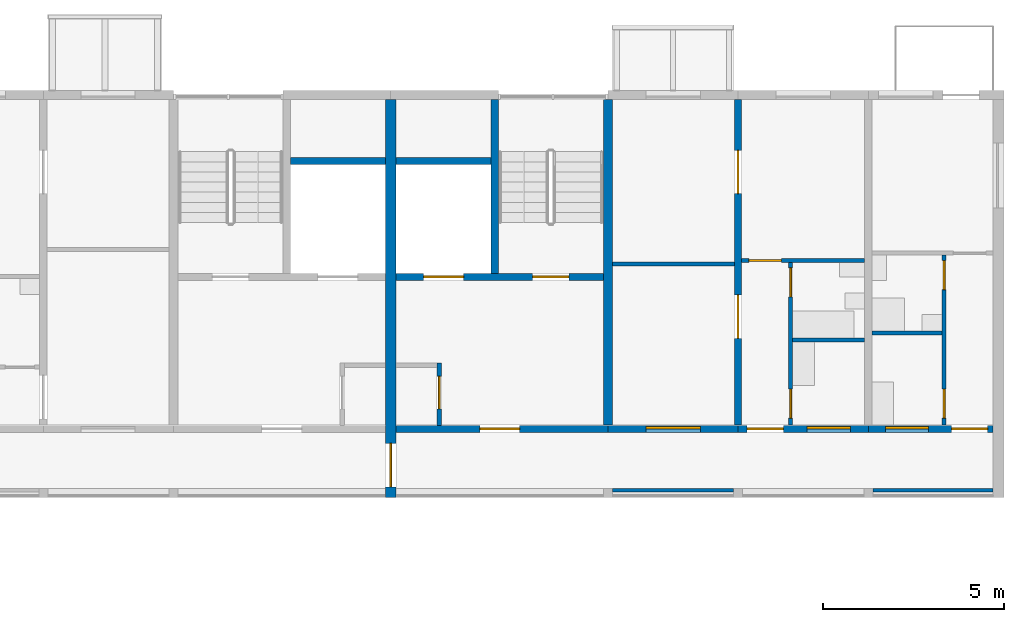
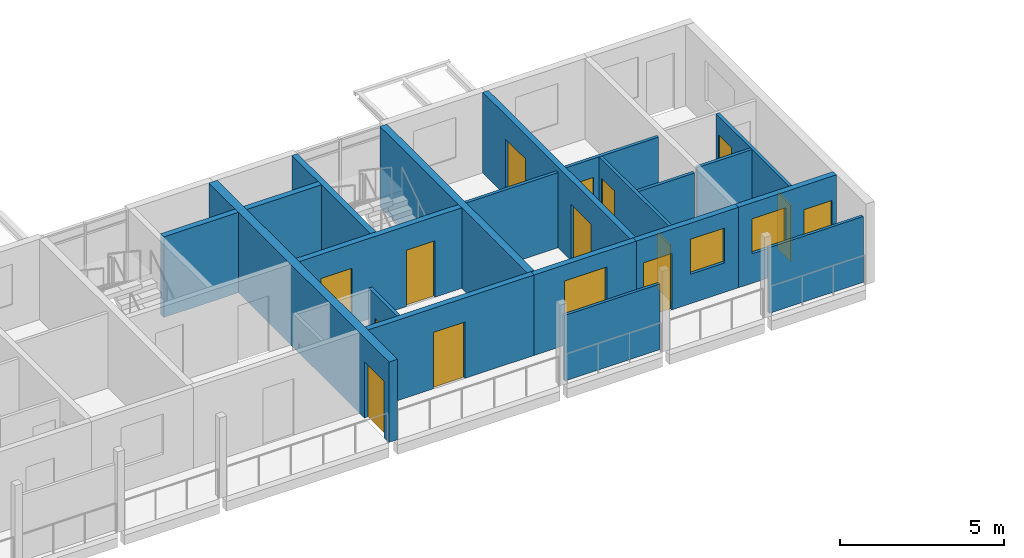
# One storey, part 56 of 99: 20 walls, 14 doors, 3 windows, 17 openings.
"""IFC4 building model written with IfcOpenShell, lengths in metres."""

import ifcopenshell
import ifcopenshell.guid

model = None  # the IFC model being written
_history = None  # IfcOwnerHistory: only IFC2X3 demands one
_inside = {}  # id of a spatial element -> (the spatial element, [elements in it])
_under = {}  # id of a project, library or spatial element -> (it, [spatial elements below it])
_declared = {}  # id of a project -> (the project, [libraries it declares])
_typed = {}  # id of a type object -> (the type object, [elements of that type])
_made_of = {}  # id of a material, layer set ... -> (it, [elements and type objects made of it])


def new_model(schema):
    """Start an empty IFC model of exactly this schema.

    Asked for "IFC4X3", IfcOpenShell would pick the latest addendum, in which some entities
    have other attributes; the version numbers below select the first issue.
    IFC2X3 requires an IfcOwnerHistory on every rooted entity: one is made here for all.
    """
    global model, _history
    if schema == "IFC4X3":
        model = ifcopenshell.file(schema_version=(4, 3, 0, 0))
    else:
        model = ifcopenshell.file(schema=schema)
    _inside.clear()
    _under.clear()
    _declared.clear()
    _typed.clear()
    _made_of.clear()
    _history = None
    if model.schema == "IFC2X3":
        org = make("IfcOrganization", Name="unknown")
        user = make(
            "IfcPersonAndOrganization",
            ThePerson=make("IfcPerson", FamilyName="unknown"),
            TheOrganization=org,
        )
        app = make(
            "IfcApplication",
            ApplicationDeveloper=org,
            Version="unknown",
            ApplicationFullName="unknown",
            ApplicationIdentifier="unknown",
        )
        _history = make(
            "IfcOwnerHistory",
            OwningUser=user,
            OwningApplication=app,
            ChangeAction="ADDED",
            CreationDate=0,
        )
    return model


def make(cls, **values):
    """One entity of the class cls with the attributes given. An attribute that is None is left unset."""
    return model.create_entity(
        cls, **{name: value for name, value in values.items() if value is not None}
    )


def rooted(cls, **values):
    """An entity with a GlobalId (a new one), such as an element, a storey or a relation."""
    return make(cls, GlobalId=ifcopenshell.guid.new(), OwnerHistory=_history, **values)


def si_unit(unit_type, name, prefix=None):
    """IfcSIUnit, for example si_unit("LENGTHUNIT", "METRE", prefix="MILLI")."""
    return make("IfcSIUnit", UnitType=unit_type, Prefix=prefix, Name=name)


def assignment(units):
    """IfcUnitAssignment: the units of a project."""
    return None if units is None else make("IfcUnitAssignment", Units=units)


def point(xyz):
    """IfcCartesianPoint."""
    return None if xyz is None else make("IfcCartesianPoint", Coordinates=xyz)


def direction(xyz):
    """IfcDirection."""
    return None if xyz is None else make("IfcDirection", DirectionRatios=xyz)


def frame(location, z_axis=None, x_axis=None):
    """IfcAxis2Placement3D, a coordinate frame: its origin and axes. An axis left out is left unset."""
    return make(
        "IfcAxis2Placement3D",
        Location=point(location),
        Axis=direction(z_axis),
        RefDirection=direction(x_axis),
    )


def frame_2d(location, x_axis=None):
    """IfcAxis2Placement2D, a coordinate frame in the plane: its origin and x axis."""
    return make(
        "IfcAxis2Placement2D", Location=point(location), RefDirection=direction(x_axis)
    )


def origin():
    """The frame at (0, 0, 0) with its axes left unset."""
    return frame((0.0, 0.0, 0.0))


def place(relative_to, where):
    """IfcLocalPlacement: puts the frame where relative to a parent placement (None: the world)."""
    return make(
        "IfcLocalPlacement", PlacementRelTo=relative_to, RelativePlacement=where
    )


def context(
    kind, dimensions, precision=None, world=None, true_north=None, identifier=None
):
    """IfcGeometricRepresentationContext, for example the 3D "Model" context."""
    return make(
        "IfcGeometricRepresentationContext",
        ContextIdentifier=identifier,
        ContextType=kind,
        CoordinateSpaceDimension=dimensions,
        Precision=precision,
        WorldCoordinateSystem=world,
        TrueNorth=true_north,
    )


def subcontext(parent, identifier, kind, view, scale=None):
    """IfcGeometricRepresentationSubContext, for example "Body" below "Model"."""
    return make(
        "IfcGeometricRepresentationSubContext",
        ContextIdentifier=identifier,
        ContextType=kind,
        ParentContext=parent,
        TargetScale=scale,
        TargetView=view,
    )


def project(units=None, contexts=None):
    """IfcProject with its units and contexts."""
    return rooted(
        "IfcProject",
        Name="project",
        RepresentationContexts=contexts,
        UnitsInContext=assignment(units),
    )


def spatial(cls, under=None, at=None, **own):
    """A site, building, storey or space (cls), placed at a placement, below another one or the project."""
    s = rooted(cls, ObjectPlacement=at, **own)
    if under is not None:
        _under.setdefault(under.id(), (under, []))[1].append(s)
    return s


def profile(cls, at=None, kind="AREA", **sizes):
    """A parametric profile (cls). Its sizes go by their IFC names, for example OverallWidth=200.0."""
    return make(cls, ProfileType=kind, Position=at, **sizes)


def rectangle(**sizes):
    """IfcRectangleProfileDef."""
    return profile("IfcRectangleProfileDef", **sizes)


def extrude(swept, where, along, depth):
    """IfcExtrudedAreaSolid: the profile swept, set in the frame where, extruded along a direction by depth."""
    return make(
        "IfcExtrudedAreaSolid",
        SweptArea=swept,
        Position=where,
        ExtrudedDirection=direction(along),
        Depth=depth,
    )


def shape(context_of_items, identifier, shape_type, items):
    """IfcShapeRepresentation: the items that make up one representation, for example the "Body"."""
    return make(
        "IfcShapeRepresentation",
        ContextOfItems=context_of_items,
        RepresentationIdentifier=identifier,
        RepresentationType=shape_type,
        Items=items,
    )


def material(Name=None, Category=None):
    """IfcMaterial."""
    return make("IfcMaterial", Name=Name, Category=Category)


def layer(
    of_material, thickness, ventilated=None, Name=None, Category=None, Priority=None
):
    """IfcMaterialLayer: one layer of a wall or slab, of a material (None: an air gap)."""
    return make(
        "IfcMaterialLayer",
        Material=of_material,
        LayerThickness=thickness,
        IsVentilated=ventilated,
        Name=Name,
        Category=Category,
        Priority=Priority,
    )


def layer_set(layers, Name=None):
    """IfcMaterialLayerSet."""
    return make("IfcMaterialLayerSet", MaterialLayers=layers, LayerSetName=Name)


def made_of(thing, what):
    """Note that an element or type object is made of a material, layer set ...; save() writes the relation."""
    if what is not None:
        _made_of.setdefault(what.id(), (what, []))[1].append(thing)
    return thing


def type_object(cls, material=None, **own):
    """A type object (cls), such as IfcWallType, which elements share."""
    return made_of(rooted(cls, **own), material)


def element(
    cls,
    number,
    at=None,
    inside=None,
    cuts=None,
    type_object=None,
    material=None,
    context=None,
    identifier="Body",
    shape_type=None,
    held_by="IfcProductDefinitionShape",
    body=None,
    shapes=None,
    **own,
):
    """One element of the class cls, such as IfcWall. Its Tag is "e" and its number.

    at: its placement. inside: the storey or other place that contains it. cuts: it is an
    opening in that element (IfcRelVoidsElement). A single representation is given by context,
    identifier, shape_type and body (its items); several are given by shapes. held_by: the class
    of the entity that holds the representations. save() writes the other relations.
    """
    e = rooted(cls, Tag="e%d" % number, ObjectPlacement=at, **own)
    if body is not None:
        shapes = [shape(context, identifier, shape_type, body)]
    if shapes is not None:
        e.Representation = make(held_by, Representations=shapes)
    if inside is not None:
        _inside.setdefault(inside.id(), (inside, []))[1].append(e)
    if cuts is not None:
        rooted(
            "IfcRelVoidsElement", RelatingBuildingElement=cuts, RelatedOpeningElement=e
        )
    if type_object is not None:
        _typed.setdefault(type_object.id(), (type_object, []))[1].append(e)
    return made_of(e, material)


def fill(opening, filler):
    """IfcRelFillsElement: the door or window that sits in an opening."""
    return rooted(
        "IfcRelFillsElement",
        RelatingOpeningElement=opening,
        RelatedBuildingElement=filler,
    )


def aggregate(whole, parts):
    """IfcRelAggregates: a whole, such as a stair, and the parts it consists of."""
    return rooted("IfcRelAggregates", RelatingObject=whole, RelatedObjects=parts)


def save(model, path):
    """Write the relations noted so far, then the file.

    IfcRelAggregates (storeys below a building ...), IfcRelContainedInSpatialStructure (elements
    in a storey), IfcRelDefinesByType, IfcRelAssociatesMaterial and IfcRelDeclares: one each for
    every whole, place, type object, material and project.
    """
    for whole, parts in _under.values():
        aggregate(whole, parts)
    for where, things in _inside.values():
        rooted(
            "IfcRelContainedInSpatialStructure",
            RelatedElements=things,
            RelatingStructure=where,
        )
    for kind, things in _typed.values():
        rooted("IfcRelDefinesByType", RelatedObjects=things, RelatingType=kind)
    for what, things in _made_of.values():
        rooted("IfcRelAssociatesMaterial", RelatedObjects=things, RelatingMaterial=what)
    for by, libraries in _declared.values():
        rooted("IfcRelDeclares", RelatingContext=by, RelatedDefinitions=libraries)
    model.write(path)


model = new_model("IFC4")

# Units and contexts
model_context = context("Model", 3, precision=1e-05, world=origin(), true_north=direction((0.0, 1.0)))
body_context = subcontext(model_context, "Body", "Model", "MODEL_VIEW")
ifc_project = project(units=[si_unit("LENGTHUNIT", "METRE"), si_unit("AREAUNIT", "SQUARE_METRE"), si_unit("VOLUMEUNIT", "CUBIC_METRE"), si_unit("PLANEANGLEUNIT", "RADIAN"), si_unit("MASSUNIT", "GRAM", prefix="KILO")], contexts=[model_context])

# Site, building, storey
site_placement = place(None, origin())
site = spatial("IfcSite", under=ifc_project, at=site_placement, CompositionType="ELEMENT")
building_placement = place(site_placement, origin())
building = spatial("IfcBuilding", under=site, at=building_placement, Name="Ridgestep Commons", CompositionType="ELEMENT")
storey_placement = place(building_placement, frame((0.0, 0.0, 15.0)))
storey = spatial("IfcBuildingStorey", under=building, at=storey_placement, Name="L05", CompositionType="ELEMENT", Elevation=15.0)

# Wall
ifc_material_1 = material(Name="Concrete C30/37", Category="concrete")
ifc_layer_1 = layer(ifc_material_1, 0.25)
ifc_layer_set_1 = layer_set([ifc_layer_1], Name="Core cross wall 250")
wall_type_1 = type_object("IfcWallType", Name="Core cross wall 250", PredefinedType="SHEAR", material=ifc_layer_set_1)
wall_1_placement = place(storey_placement, frame((236.800048828125, 68.0, 0.0), z_axis=(0.0, 0.0, 1.0), x_axis=(0.0, 1.0, 0.0)))
element("IfcWall", 1, at=wall_1_placement, inside=storey, type_object=wall_type_1, Name="Cross wall C-05-2368", PredefinedType="SHEAR", context=body_context, shape_type="SweptSolid", body=[
    extrude(rectangle(XDim=9.0, YDim=0.25, at=frame_2d((4.5, 0.0))), origin(), (0.0, 0.0, 1.0), 3.0),
])

# Wall, opening, door
ifc_material_2 = material(Name="Concrete C30/37", Category="concrete")
ifc_layer_2 = layer(ifc_material_2, 0.199951171875)
ifc_layer_set_2 = layer_set([ifc_layer_2], Name="Core south wall 200")
wall_type_2 = type_object("IfcWallType", Name="Core south wall 200", PredefinedType="SHEAR", material=ifc_layer_set_2)
wall_2_placement = place(storey_placement, frame((230.949951171875, 67.89990234375, 0.0), z_axis=(0.0, 0.0, 1.0), x_axis=(1.0, 0.0, 0.0)))
wall_2 = element("IfcWall", 2, at=wall_2_placement, inside=storey, type_object=wall_type_2, Name="Core south wall C6C L05", PredefinedType="SHEAR", context=body_context, shape_type="SweptSolid", body=[
    extrude(rectangle(XDim=5.85009765625, YDim=0.199951171875, at=frame_2d((2.925048828125, 0.0))), origin(), (0.0, 0.0, 1.0), 3.0),
])
opening_1_placement = place(wall_2_placement, frame((2.3125, 0.0, 0.0)))
opening_1 = element("IfcOpeningElement", 3, at=opening_1_placement, cuts=wall_2, Name="Opening C6C/05/1", PredefinedType="OPENING", context=body_context, shape_type="SweptSolid", body=[
    extrude(rectangle(XDim=1.10009765625, YDim=2.10009765625, at=frame_2d((0.550048828125, 1.050048828125))), frame((0.0, 0.10986328125, 0.0), z_axis=(0.0, -1.0, 0.0), x_axis=(1.0, 0.0, 0.0)), (0.0, 0.0, 1.0), 0.219970703125),
])
ifc_material_3 = material(Name="Steel fire door", Category="steel")
door_type_1 = type_object("IfcDoorType", Name="Lobby door 1100 x 2100 FD60", OperationType="NOTDEFINED", PredefinedType="DOOR", material=ifc_material_3)
door_1_placement = place(opening_1_placement, origin())
door_1 = element("IfcDoor", 4, at=door_1_placement, inside=storey, type_object=door_type_1, Name="Lobby door C6C/05/1", OperationType="SINGLE_SWING_LEFT", OverallHeight=2.10009765625, OverallWidth=1.10009765625, PredefinedType="DOOR", context=body_context, shape_type="SweptSolid", body=[
    extrude(rectangle(XDim=1.10009765625, YDim=2.10009765625, at=frame_2d((0.550048828125, 1.050048828125))), frame((0.0, 0.02490234375, 0.0), z_axis=(0.0, -1.0, 0.0), x_axis=(1.0, 0.0, 0.0)), (0.0, 0.0, 1.0), 0.050048828125),
])
fill(opening_1, door_1)

ifc_material_4 = material(Name="Concrete C30/37", Category="concrete")
ifc_layer_3 = layer(ifc_material_4, 0.1201171875)
ifc_layer_set_3 = layer_set([ifc_layer_3], Name="Core wall 120")
wall_type_3 = type_object("IfcWallType", Name="Core wall 120", PredefinedType="SHEAR", material=ifc_layer_set_3)
wall_3_placement = place(storey_placement, frame((232.139892578125, 68.0, 0.0), z_axis=(0.0, 0.0, 1.0), x_axis=(0.0, 1.0, 0.0)))
wall_3 = element("IfcWall", 5, at=wall_3_placement, inside=storey, type_object=wall_type_3, Name="Core riser w wall C6C L05", PredefinedType="SHEAR", context=body_context, shape_type="SweptSolid", body=[
    extrude(rectangle(XDim=1.719970703125, YDim=0.1201171875, at=frame_2d((0.85986328125, 0.0))), origin(), (0.0, 0.0, 1.0), 3.0),
])
opening_2_placement = place(wall_3_placement, frame((0.449951171875, 0.0, 0.0)))
opening_2 = element("IfcOpeningElement", 6, at=opening_2_placement, cuts=wall_3, Name="Opening C6C/05/4", PredefinedType="OPENING", context=body_context, shape_type="SweptSolid", body=[
    extrude(rectangle(XDim=0.89990234375, YDim=2.10009765625, at=frame_2d((0.449951171875, 1.050048828125))), frame((0.0, 0.070068359375, 0.0), z_axis=(0.0, -1.0, 0.0), x_axis=(1.0, 0.0, 0.0)), (0.0, 0.0, 1.0), 0.14013671875),
])
ifc_material_5 = material(Name="Steel fire door", Category="steel")
door_type_2 = type_object("IfcDoorType", Name="Riser door 900 x 2100 FD60", OperationType="NOTDEFINED", PredefinedType="DOOR", material=ifc_material_5)
door_2_placement = place(opening_2_placement, origin())
door_2 = element("IfcDoor", 7, at=door_2_placement, inside=storey, type_object=door_type_2, Name="Riser door C6C/05/4", OperationType="SINGLE_SWING_RIGHT", OverallHeight=2.10009765625, OverallWidth=0.89990234375, PredefinedType="DOOR", context=body_context, shape_type="SweptSolid", body=[
    extrude(rectangle(XDim=0.89990234375, YDim=2.10009765625, at=frame_2d((0.449951171875, 1.050048828125))), frame((0.0, 0.02490234375, 0.0), z_axis=(0.0, -1.0, 0.0), x_axis=(1.0, 0.0, 0.0)), (0.0, 0.0, 1.0), 0.050048828125),
])
fill(opening_2, door_2)

# Wall
ifc_material_6 = material(Name="Concrete C30/37", Category="concrete")
ifc_layer_4 = layer(ifc_material_6, 0.199951171875)
ifc_layer_set_4 = layer_set([ifc_layer_4], Name="Core wall 200")
wall_type_4 = type_object("IfcWallType", Name="Core wall 200", PredefinedType="SHEAR", material=ifc_layer_set_4)
wall_4_placement = place(storey_placement, frame((228.02490234375, 75.300048828125, 0.0), z_axis=(0.0, 0.0, 1.0), x_axis=(1.0, 0.0, 0.0)))
element("IfcWall", 8, at=wall_4_placement, inside=storey, type_object=wall_type_4, Name="Core duct wall C5C L05", PredefinedType="SHEAR", context=body_context, shape_type="SweptSolid", body=[
    extrude(rectangle(XDim=2.625, YDim=0.199951171875, at=frame_2d((1.3125, 0.0))), origin(), (0.0, 0.0, 1.0), 3.0),
])

# Wall, openings, doors
wall_5_placement = place(storey_placement, frame((230.949951171875, 72.10009765625, 0.0), z_axis=(0.0, 0.0, 1.0), x_axis=(1.0, 0.0, 0.0)))
wall_5 = element("IfcWall", 9, at=wall_5_placement, inside=storey, type_object=wall_type_4, Name="Core lobby wall C6C L05", PredefinedType="SHEAR", context=body_context, shape_type="SweptSolid", body=[
    extrude(rectangle(XDim=5.72509765625, YDim=0.199951171875, at=frame_2d((2.862548828125, 0.0))), origin(), (0.0, 0.0, 1.0), 3.0),
])
opening_3_placement = place(wall_5_placement, frame((3.77490234375, 0.0, 0.0)))
opening_3 = element("IfcOpeningElement", 10, at=opening_3_placement, cuts=wall_5, Name="Opening C6C/05/2", PredefinedType="OPENING", context=body_context, shape_type="SweptSolid", body=[
    extrude(rectangle(XDim=1.0, YDim=2.10009765625, at=frame_2d((0.5, 1.050048828125))), frame((0.0, 0.10986328125, 0.0), z_axis=(0.0, -1.0, 0.0), x_axis=(1.0, 0.0, 0.0)), (0.0, 0.0, 1.0), 0.219970703125),
])
opening_4_placement = place(wall_5_placement, frame((0.762451171875, 0.0, 0.0)))
opening_4 = element("IfcOpeningElement", 11, at=opening_4_placement, cuts=wall_5, Name="Opening C6C/05/3", PredefinedType="OPENING", context=body_context, shape_type="SweptSolid", body=[
    extrude(rectangle(XDim=1.10009765625, YDim=2.10009765625, at=frame_2d((0.550048828125, 1.050048828125))), frame((0.0, 0.10986328125, 0.0), z_axis=(0.0, -1.0, 0.0), x_axis=(1.0, 0.0, 0.0)), (0.0, 0.0, 1.0), 0.219970703125),
])
ifc_material_7 = material(Name="Stainless steel", Category="steel")
door_type_3 = type_object("IfcDoorType", Name="Lift landing door 1100 x 2100 FD60", OperationType="DOUBLE_DOOR_SLIDING", PredefinedType="DOOR", material=ifc_material_7)
door_3_placement = place(opening_4_placement, origin())
door_3 = element("IfcDoor", 12, at=door_3_placement, inside=storey, type_object=door_type_3, Name="Landing door LD C6C L05", OperationType="DOUBLE_DOOR_SLIDING", OverallHeight=2.10009765625, OverallWidth=1.10009765625, PredefinedType="DOOR", context=body_context, shape_type="SweptSolid", body=[
    extrude(rectangle(XDim=1.10009765625, YDim=2.10009765625, at=frame_2d((0.550048828125, 1.050048828125))), frame((0.0, 0.02490234375, 0.0), z_axis=(0.0, -1.0, 0.0), x_axis=(1.0, 0.0, 0.0)), (0.0, 0.0, 1.0), 0.050048828125),
])
fill(opening_4, door_3)
ifc_material_8 = material(Name="Steel fire door", Category="steel")
door_type_4 = type_object("IfcDoorType", Name="Stair door 1000 x 2100 FD60", OperationType="NOTDEFINED", PredefinedType="DOOR", material=ifc_material_8)
door_4_placement = place(opening_3_placement, origin())
door_4 = element("IfcDoor", 13, at=door_4_placement, inside=storey, type_object=door_type_4, Name="Stair door C6C/05/2", OperationType="SINGLE_SWING_RIGHT", OverallHeight=2.10009765625, OverallWidth=1.0, PredefinedType="DOOR", context=body_context, shape_type="SweptSolid", body=[
    extrude(rectangle(XDim=1.0, YDim=2.10009765625, at=frame_2d((0.5, 1.050048828125))), frame((0.0, 0.02490234375, 0.0), z_axis=(0.0, -1.0, 0.0), x_axis=(1.0, 0.0, 0.0)), (0.0, 0.0, 1.0), 0.050048828125),
])
fill(opening_3, door_4)

# Walls
wall_6_placement = place(storey_placement, frame((233.675048828125, 72.199951171875, 0.0), z_axis=(0.0, 0.0, 1.0), x_axis=(0.0, 1.0, 0.0)))
element("IfcWall", 14, at=wall_6_placement, inside=storey, type_object=wall_type_4, Name="Core stair wall C6C L05", PredefinedType="SHEAR", context=body_context, shape_type="SweptSolid", body=[
    extrude(rectangle(XDim=4.800048828125, YDim=0.199951171875, at=frame_2d((2.39990234375, 0.0))), origin(), (0.0, 0.0, 1.0), 3.0),
])
wall_7_placement = place(storey_placement, frame((230.949951171875, 75.300048828125, 0.0), z_axis=(0.0, 0.0, 1.0), x_axis=(1.0, 0.0, 0.0)))
element("IfcWall", 15, at=wall_7_placement, inside=storey, type_object=wall_type_4, Name="Core duct wall C6C L05", PredefinedType="SHEAR", context=body_context, shape_type="SweptSolid", body=[
    extrude(rectangle(XDim=2.625, YDim=0.199951171875, at=frame_2d((1.3125, 0.0))), origin(), (0.0, 0.0, 1.0), 3.0),
])

# Wall, openings, doors
ifc_material_9 = material(Name="Precast concrete C40/50", Category="concrete")
ifc_layer_5 = layer(ifc_material_9, 0.199951171875)
ifc_layer_set_5 = layer_set([ifc_layer_5], Name="Cross wall 200")
wall_type_5 = type_object("IfcWallType", Name="Cross wall 200", PredefinedType="SHEAR", material=ifc_layer_set_5)
wall_8_placement = place(storey_placement, frame((240.39990234375, 68.0, 0.0), z_axis=(0.0, 0.0, 1.0), x_axis=(0.0, 1.0, 0.0)))
wall_8 = element("IfcWall", 16, at=wall_8_placement, inside=storey, type_object=wall_type_5, Name="Cross wall C-05-2404", PredefinedType="SHEAR", context=body_context, shape_type="SweptSolid", body=[
    extrude(rectangle(XDim=9.0, YDim=0.199951171875, at=frame_2d((4.5, 0.0))), origin(), (0.0, 0.0, 1.0), 3.0),
])
opening_5_placement = place(wall_8_placement, frame((2.39990234375, 0.0, 0.0)))
opening_5 = element("IfcOpeningElement", 17, at=opening_5_placement, cuts=wall_8, Name="Opening C6-05b/5", PredefinedType="OPENING", context=body_context, shape_type="SweptSolid", body=[
    extrude(rectangle(XDim=1.199951171875, YDim=2.10009765625, at=frame_2d((0.60009765625, 1.050048828125))), frame((0.0, 0.10986328125, 0.0), z_axis=(0.0, -1.0, 0.0), x_axis=(1.0, 0.0, 0.0)), (0.0, 0.0, 1.0), 0.219970703125),
])
opening_6_placement = place(wall_8_placement, frame((6.39990234375, 0.0, 0.0)))
opening_6 = element("IfcOpeningElement", 18, at=opening_6_placement, cuts=wall_8, Name="Opening C6-05b/6", PredefinedType="OPENING", context=body_context, shape_type="SweptSolid", body=[
    extrude(rectangle(XDim=1.199951171875, YDim=2.10009765625, at=frame_2d((0.60009765625, 1.050048828125))), frame((0.0, 0.10986328125, 0.0), z_axis=(0.0, -1.0, 0.0), x_axis=(1.0, 0.0, 0.0)), (0.0, 0.0, 1.0), 0.219970703125),
])
ifc_material_10 = material(Name="Timber door leaf", Category="wood")
door_type_5 = type_object("IfcDoorType", Name="Double door 1200 x 2100", OperationType="DOUBLE_DOOR_SINGLE_SWING", PredefinedType="DOOR", material=ifc_material_10)
door_5_placement = place(opening_5_placement, origin())
door_5 = element("IfcDoor", 19, at=door_5_placement, inside=storey, type_object=door_type_5, Name="Double door C6-05b/5", OperationType="DOUBLE_DOOR_SINGLE_SWING", OverallHeight=2.10009765625, OverallWidth=1.199951171875, PredefinedType="DOOR", context=body_context, shape_type="SweptSolid", body=[
    extrude(rectangle(XDim=1.199951171875, YDim=2.10009765625, at=frame_2d((0.60009765625, 1.050048828125))), frame((0.0, 0.02490234375, 0.0), z_axis=(0.0, -1.0, 0.0), x_axis=(1.0, 0.0, 0.0)), (0.0, 0.0, 1.0), 0.050048828125),
])
fill(opening_5, door_5)
door_6_placement = place(opening_6_placement, origin())
door_6 = element("IfcDoor", 20, at=door_6_placement, inside=storey, type_object=door_type_5, Name="Double door C6-05b/6", OperationType="DOUBLE_DOOR_SINGLE_SWING", OverallHeight=2.10009765625, OverallWidth=1.199951171875, PredefinedType="DOOR", context=body_context, shape_type="SweptSolid", body=[
    extrude(rectangle(XDim=1.199951171875, YDim=2.10009765625, at=frame_2d((0.60009765625, 1.050048828125))), frame((0.0, 0.02490234375, 0.0), z_axis=(0.0, -1.0, 0.0), x_axis=(1.0, 0.0, 0.0)), (0.0, 0.0, 1.0), 0.050048828125),
])
fill(opening_6, door_6)

# Wall, opening, door
ifc_material_11 = material(Name="Precast concrete C40/50", Category="concrete")
ifc_layer_6 = layer(ifc_material_11, 0.300048828125)
ifc_layer_set_6 = layer_set([ifc_layer_6], Name="Division wall 300")
wall_type_6 = type_object("IfcWallType", Name="Division wall 300", PredefinedType="SHEAR", material=ifc_layer_set_6)
wall_9_placement = place(storey_placement, frame((230.800048828125, 66.0, 0.0), z_axis=(0.0, 0.0, 1.0), x_axis=(0.0, 1.0, 0.0)))
wall_9 = element("IfcWall", 21, at=wall_9_placement, inside=storey, type_object=wall_type_6, Name="Cross wall C-05-2308", PredefinedType="SHEAR", context=body_context, shape_type="SweptSolid", body=[
    extrude(rectangle(XDim=11.0, YDim=0.300048828125, at=frame_2d((5.5, 0.0))), origin(), (0.0, 0.0, 1.0), 3.0),
])
opening_7_placement = place(wall_9_placement, frame((0.300048828125, 0.0, 0.0)))
opening_7 = element("IfcOpeningElement", 22, at=opening_7_placement, cuts=wall_9, Name="Opening C/05/G2308", PredefinedType="OPENING", context=body_context, shape_type="SweptSolid", body=[
    extrude(rectangle(XDim=1.199951171875, YDim=2.10009765625, at=frame_2d((0.60009765625, 1.050048828125))), frame((0.0, 0.159912109375, 0.0), z_axis=(0.0, -1.0, 0.0), x_axis=(1.0, 0.0, 0.0)), (0.0, 0.0, 1.0), 0.320068359375),
])
ifc_material_12 = material(Name="Steel fire door", Category="steel")
door_type_6 = type_object("IfcDoorType", Name="Division fire door 1200 x 2100 EI 240", OperationType="DOUBLE_DOOR_SINGLE_SWING", PredefinedType="DOOR", material=ifc_material_12)
door_7_placement = place(opening_7_placement, origin())
door_7 = element("IfcDoor", 23, at=door_7_placement, inside=storey, type_object=door_type_6, Name="Division fire door C/05/G2308", OperationType="DOUBLE_DOOR_SINGLE_SWING", OverallHeight=2.10009765625, OverallWidth=1.199951171875, PredefinedType="DOOR", context=body_context, shape_type="SweptSolid", body=[
    extrude(rectangle(XDim=1.199951171875, YDim=2.10009765625, at=frame_2d((0.60009765625, 1.050048828125))), frame((0.0, 0.02490234375, 0.0), z_axis=(0.0, -1.0, 0.0), x_axis=(1.0, 0.0, 0.0)), (0.0, 0.0, 1.0), 0.050048828125),
])
fill(opening_7, door_7)

# Wall
ifc_material_13 = material(Name="Common brick 110 mm", Category="masonry")
ifc_layer_7 = layer(ifc_material_13, 0.110107421875)
ifc_layer_set_7 = layer_set([ifc_layer_7], Name="Partition 110")
wall_type_7 = type_object("IfcWallType", Name="Partition 110", PredefinedType="PARTITIONING", material=ifc_layer_set_7)
wall_10_placement = place(storey_placement, frame((244.10009765625, 70.554931640625, 0.0), z_axis=(0.0, 0.0, 1.0), x_axis=(1.0, 0.0, 0.0)))
element("IfcWall", 24, at=wall_10_placement, inside=storey, type_object=wall_type_7, Name="Partition C6-05a", PredefinedType="PARTITIONING", context=body_context, shape_type="SweptSolid", body=[
    extrude(rectangle(XDim=1.93994140625, YDim=0.110107421875, at=frame_2d((0.969970703125, 0.0))), origin(), (0.0, 0.0, 1.0), 2.800048828125),
])

# Wall, openings, doors
wall_11_placement = place(storey_placement, frame((246.094970703125, 68.0, 0.0), z_axis=(0.0, 0.0, 1.0), x_axis=(0.0, 1.0, 0.0)))
wall_11 = element("IfcWall", 25, at=wall_11_placement, inside=storey, type_object=wall_type_7, Name="Partition C6-05a", PredefinedType="PARTITIONING", context=body_context, shape_type="SweptSolid", body=[
    extrude(rectangle(XDim=4.699951171875, YDim=0.110107421875, at=frame_2d((2.35009765625, 0.0))), origin(), (0.0, 0.0, 1.0), 2.800048828125),
])
opening_8_placement = place(wall_11_placement, frame((0.199951171875, 0.0, 0.0)))
opening_8 = element("IfcOpeningElement", 26, at=opening_8_placement, cuts=wall_11, Name="Opening C6-05a/2", PredefinedType="OPENING", context=body_context, shape_type="SweptSolid", body=[
    extrude(rectangle(XDim=0.800048828125, YDim=2.10009765625, at=frame_2d((0.39990234375, 1.050048828125))), frame((0.0, 0.06494140625, 0.0), z_axis=(0.0, -1.0, 0.0), x_axis=(1.0, 0.0, 0.0)), (0.0, 0.0, 1.0), 0.130126953125),
])
opening_9_placement = place(wall_11_placement, frame((3.75, 0.0, 0.0)))
opening_9 = element("IfcOpeningElement", 27, at=opening_9_placement, cuts=wall_11, Name="Opening C6-05a/3", PredefinedType="OPENING", context=body_context, shape_type="SweptSolid", body=[
    extrude(rectangle(XDim=0.800048828125, YDim=2.10009765625, at=frame_2d((0.39990234375, 1.050048828125))), frame((0.0, 0.06494140625, 0.0), z_axis=(0.0, -1.0, 0.0), x_axis=(1.0, 0.0, 0.0)), (0.0, 0.0, 1.0), 0.130126953125),
])
ifc_material_14 = material(Name="Timber door leaf", Category="wood")
door_type_7 = type_object("IfcDoorType", Name="Internal door 800 x 2100", OperationType="NOTDEFINED", PredefinedType="DOOR", material=ifc_material_14)
door_8_placement = place(opening_8_placement, origin())
door_8 = element("IfcDoor", 28, at=door_8_placement, inside=storey, type_object=door_type_7, Name="Internal door C6-05a/2", OperationType="SINGLE_SWING_LEFT", OverallHeight=2.10009765625, OverallWidth=0.800048828125, PredefinedType="DOOR", context=body_context, shape_type="SweptSolid", body=[
    extrude(rectangle(XDim=0.800048828125, YDim=2.10009765625, at=frame_2d((0.39990234375, 1.050048828125))), frame((0.0, 0.02490234375, 0.0), z_axis=(0.0, -1.0, 0.0), x_axis=(1.0, 0.0, 0.0)), (0.0, 0.0, 1.0), 0.050048828125),
])
fill(opening_8, door_8)
door_9_placement = place(opening_9_placement, origin())
door_9 = element("IfcDoor", 29, at=door_9_placement, inside=storey, type_object=door_type_7, Name="Internal door C6-05a/3", OperationType="SINGLE_SWING_RIGHT", OverallHeight=2.10009765625, OverallWidth=0.800048828125, PredefinedType="DOOR", context=body_context, shape_type="SweptSolid", body=[
    extrude(rectangle(XDim=0.800048828125, YDim=2.10009765625, at=frame_2d((0.39990234375, 1.050048828125))), frame((0.0, 0.02490234375, 0.0), z_axis=(0.0, -1.0, 0.0), x_axis=(1.0, 0.0, 0.0)), (0.0, 0.0, 1.0), 0.050048828125),
])
fill(opening_9, door_9)

wall_12_placement = place(storey_placement, frame((241.85498046875, 68.0, 0.0), z_axis=(0.0, 0.0, 1.0), x_axis=(0.0, 1.0, 0.0)))
wall_12 = element("IfcWall", 30, at=wall_12_placement, inside=storey, type_object=wall_type_7, Name="Partition C6-05b", PredefinedType="PARTITIONING", context=body_context, shape_type="SweptSolid", body=[
    extrude(rectangle(XDim=4.5, YDim=0.110107421875, at=frame_2d((2.25, 0.0))), origin(), (0.0, 0.0, 1.0), 2.800048828125),
])
opening_10_placement = place(wall_12_placement, frame((0.199951171875, 0.0, 0.0)))
opening_10 = element("IfcOpeningElement", 31, at=opening_10_placement, cuts=wall_12, Name="Opening C6-05b/2", PredefinedType="OPENING", context=body_context, shape_type="SweptSolid", body=[
    extrude(rectangle(XDim=0.800048828125, YDim=2.10009765625, at=frame_2d((0.39990234375, 1.050048828125))), frame((0.0, 0.06494140625, 0.0), z_axis=(0.0, -1.0, 0.0), x_axis=(1.0, 0.0, 0.0)), (0.0, 0.0, 1.0), 0.130126953125),
])
opening_11_placement = place(wall_12_placement, frame((3.550048828125, 0.0, 0.0)))
opening_11 = element("IfcOpeningElement", 32, at=opening_11_placement, cuts=wall_12, Name="Opening C6-05b/3", PredefinedType="OPENING", context=body_context, shape_type="SweptSolid", body=[
    extrude(rectangle(XDim=0.800048828125, YDim=2.10009765625, at=frame_2d((0.39990234375, 1.050048828125))), frame((0.0, 0.06494140625, 0.0), z_axis=(0.0, -1.0, 0.0), x_axis=(1.0, 0.0, 0.0)), (0.0, 0.0, 1.0), 0.130126953125),
])
door_10_placement = place(opening_10_placement, origin())
door_10 = element("IfcDoor", 33, at=door_10_placement, inside=storey, type_object=door_type_7, Name="Internal door C6-05b/2", OperationType="SINGLE_SWING_RIGHT", OverallHeight=2.10009765625, OverallWidth=0.800048828125, PredefinedType="DOOR", context=body_context, shape_type="SweptSolid", body=[
    extrude(rectangle(XDim=0.800048828125, YDim=2.10009765625, at=frame_2d((0.39990234375, 1.050048828125))), frame((0.0, 0.02490234375, 0.0), z_axis=(0.0, -1.0, 0.0), x_axis=(1.0, 0.0, 0.0)), (0.0, 0.0, 1.0), 0.050048828125),
])
fill(opening_10, door_10)
door_11_placement = place(opening_11_placement, origin())
door_11 = element("IfcDoor", 34, at=door_11_placement, inside=storey, type_object=door_type_7, Name="Internal door C6-05b/3", OperationType="SINGLE_SWING_LEFT", OverallHeight=2.10009765625, OverallWidth=0.800048828125, PredefinedType="DOOR", context=body_context, shape_type="SweptSolid", body=[
    extrude(rectangle(XDim=0.800048828125, YDim=2.10009765625, at=frame_2d((0.39990234375, 1.050048828125))), frame((0.0, 0.02490234375, 0.0), z_axis=(0.0, -1.0, 0.0), x_axis=(1.0, 0.0, 0.0)), (0.0, 0.0, 1.0), 0.050048828125),
])
fill(opening_11, door_11)

# Wall
wall_13_placement = place(storey_placement, frame((241.909912109375, 70.35498046875, 0.0), z_axis=(0.0, 0.0, 1.0), x_axis=(1.0, 0.0, 0.0)))
element("IfcWall", 35, at=wall_13_placement, inside=storey, type_object=wall_type_7, Name="Partition C6-05b", PredefinedType="PARTITIONING", context=body_context, shape_type="SweptSolid", body=[
    extrude(rectangle(XDim=1.989990234375, YDim=0.110107421875, at=frame_2d((0.9951171875, 0.0))), origin(), (0.0, 0.0, 1.0), 2.800048828125),
])

# Wall, opening, door
wall_14_placement = place(storey_placement, frame((240.5, 72.554931640625, 0.0), z_axis=(0.0, 0.0, 1.0), x_axis=(1.0, 0.0, 0.0)))
wall_14 = element("IfcWall", 36, at=wall_14_placement, inside=storey, type_object=wall_type_7, Name="Partition C6-05b", PredefinedType="PARTITIONING", context=body_context, shape_type="SweptSolid", body=[
    extrude(rectangle(XDim=3.39990234375, YDim=0.110107421875, at=frame_2d((1.699951171875, 0.0))), origin(), (0.0, 0.0, 1.0), 2.800048828125),
])
opening_12_placement = place(wall_14_placement, frame((0.199951171875, 0.0, 0.0)))
opening_12 = element("IfcOpeningElement", 37, at=opening_12_placement, cuts=wall_14, Name="Opening C6-05b/4", PredefinedType="OPENING", context=body_context, shape_type="SweptSolid", body=[
    extrude(rectangle(XDim=0.89990234375, YDim=2.10009765625, at=frame_2d((0.449951171875, 1.050048828125))), frame((0.0, 0.06494140625, 0.0), z_axis=(0.0, -1.0, 0.0), x_axis=(1.0, 0.0, 0.0)), (0.0, 0.0, 1.0), 0.130126953125),
])
ifc_material_15 = material(Name="Timber door leaf", Category="wood")
door_type_8 = type_object("IfcDoorType", Name="Internal door 900 x 2100", OperationType="NOTDEFINED", PredefinedType="DOOR", material=ifc_material_15)
door_12_placement = place(opening_12_placement, origin())
door_12 = element("IfcDoor", 38, at=door_12_placement, inside=storey, type_object=door_type_8, Name="Internal door C6-05b/4", OperationType="SINGLE_SWING_LEFT", OverallHeight=2.10009765625, OverallWidth=0.89990234375, PredefinedType="DOOR", context=body_context, shape_type="SweptSolid", body=[
    extrude(rectangle(XDim=0.89990234375, YDim=2.10009765625, at=frame_2d((0.449951171875, 1.050048828125))), frame((0.0, 0.02490234375, 0.0), z_axis=(0.0, -1.0, 0.0), x_axis=(1.0, 0.0, 0.0)), (0.0, 0.0, 1.0), 0.050048828125),
])
fill(opening_12, door_12)

# Walls
wall_15_placement = place(storey_placement, frame((236.925048828125, 72.455078125, 0.0), z_axis=(0.0, 0.0, 1.0), x_axis=(1.0, 0.0, 0.0)))
element("IfcWall", 39, at=wall_15_placement, inside=storey, type_object=wall_type_7, Name="Partition C6-05b", PredefinedType="PARTITIONING", context=body_context, shape_type="SweptSolid", body=[
    extrude(rectangle(XDim=3.375, YDim=0.110107421875, at=frame_2d((1.6875, 0.0))), origin(), (0.0, 0.0, 1.0), 2.800048828125),
])
ifc_material_16 = material(Name="Precast concrete C30/37", Category="concrete")
ifc_layer_8 = layer(ifc_material_16, 0.10009765625)
ifc_layer_set_8 = layer_set([ifc_layer_8], Name="Perforated gallery screen 3325 x 2450 x 100")
wall_type_8 = type_object("IfcWallType", Name="Perforated gallery screen 3325 x 2450 x 100", PredefinedType="SOLIDWALL", material=ifc_layer_set_8)
wall_16_placement = place(storey_placement, frame((244.125, 66.199951171875, 0.0), z_axis=(0.0, 0.0, 1.0), x_axis=(1.0, 0.0, 0.0)))
element("IfcWall", 40, at=wall_16_placement, inside=storey, type_object=wall_type_8, Name="Gallery screen C6T1 05", PredefinedType="SOLIDWALL", context=body_context, shape_type="SweptSolid", body=[
    extrude(rectangle(XDim=3.324951171875, YDim=0.10009765625, at=frame_2d((1.66259765625, 0.0))), origin(), (0.0, 0.0, 1.0), 2.449951171875),
])
ifc_material_17 = material(Name="Precast concrete C30/37", Category="concrete")
ifc_layer_9 = layer(ifc_material_17, 0.10009765625)
ifc_layer_set_9 = layer_set([ifc_layer_9], Name="Perforated gallery screen 3350 x 2450 x 100")
wall_type_9 = type_object("IfcWallType", Name="Perforated gallery screen 3350 x 2450 x 100", PredefinedType="SOLIDWALL", material=ifc_layer_set_9)
wall_17_placement = place(storey_placement, frame((236.925048828125, 66.199951171875, 0.0), z_axis=(0.0, 0.0, 1.0), x_axis=(1.0, 0.0, 0.0)))
element("IfcWall", 41, at=wall_17_placement, inside=storey, type_object=wall_type_9, Name="Gallery screen C6T3 05", PredefinedType="SOLIDWALL", context=body_context, shape_type="SweptSolid", body=[
    extrude(rectangle(XDim=3.349853515625, YDim=0.10009765625, at=frame_2d((1.6748046875, 0.0))), origin(), (0.0, 0.0, 1.0), 2.449951171875),
])

# Wall, opening, window
ifc_material_18 = material(Name="Precast concrete C40/50", Category="concrete")
ifc_layer_10 = layer(ifc_material_18, 0.199951171875)
ifc_layer_set_10 = layer_set([ifc_layer_10], Name="South facade panel 200")
wall_type_10 = type_object("IfcWallType", Name="South facade panel 200", PredefinedType="SOLIDWALL", material=ifc_layer_set_10)
wall_18_placement = place(storey_placement, frame((236.800048828125, 67.89990234375, 0.0), z_axis=(0.0, 0.0, 1.0), x_axis=(1.0, 0.0, 0.0)))
wall_18 = element("IfcWall", 42, at=wall_18_placement, inside=storey, type_object=wall_type_10, Name="South panel C6T3 L05", PredefinedType="SOLIDWALL", context=body_context, shape_type="SweptSolid", body=[
    extrude(rectangle(XDim=3.599853515625, YDim=0.199951171875, at=frame_2d((1.7998046875, 0.0))), origin(), (0.0, 0.0, 1.0), 3.0),
])
opening_13_placement = place(wall_18_placement, frame((1.0625, 0.0, 0.89990234375)))
opening_13 = element("IfcOpeningElement", 43, at=opening_13_placement, cuts=wall_18, Name="Opening W16", PredefinedType="OPENING", context=body_context, shape_type="SweptSolid", body=[
    extrude(rectangle(XDim=1.5, YDim=1.5, at=frame_2d((0.75, 0.75))), frame((0.0, 0.10986328125, 0.0), z_axis=(0.0, -1.0, 0.0), x_axis=(1.0, 0.0, 0.0)), (0.0, 0.0, 1.0), 0.219970703125),
])
ifc_material_19 = material(Name="Aluminium 6063-T6 and glass", Category="aluminium")
window_type_1 = type_object("IfcWindowType", Name="Flat window 1500 x 1500", PartitioningType="DOUBLE_PANEL_VERTICAL", PredefinedType="WINDOW", material=ifc_material_19)
window_1_placement = place(opening_13_placement, origin())
window_1 = element("IfcWindow", 44, at=window_1_placement, inside=storey, type_object=window_type_1, Name="Window C6-05b 1", OverallHeight=1.5, OverallWidth=1.5, PartitioningType="SINGLE_PANEL", PredefinedType="WINDOW", context=body_context, shape_type="SweptSolid", body=[
    extrude(rectangle(XDim=1.5, YDim=1.5, at=frame_2d((0.75, 0.75))), frame((0.0, 0.06005859375, 0.0), z_axis=(0.0, -1.0, 0.0), x_axis=(1.0, 0.0, 0.0)), (0.0, 0.0, 1.0), 0.06005859375),
])
fill(opening_13, window_1)

# Wall, openings, door, window
wall_19_placement = place(storey_placement, frame((240.39990234375, 67.89990234375, 0.0), z_axis=(0.0, 0.0, 1.0), x_axis=(1.0, 0.0, 0.0)))
wall_19 = element("IfcWall", 45, at=wall_19_placement, inside=storey, type_object=wall_type_10, Name="South panel C6T2 L05", PredefinedType="SOLIDWALL", context=body_context, shape_type="SweptSolid", body=[
    extrude(rectangle(XDim=3.60009765625, YDim=0.199951171875, at=frame_2d((1.800048828125, 0.0))), origin(), (0.0, 0.0, 1.0), 3.0),
])
opening_14_placement = place(wall_19_placement, frame((1.905029296875, 0.0, 1.10009765625)))
opening_14 = element("IfcOpeningElement", 46, at=opening_14_placement, cuts=wall_19, Name="Opening W08", PredefinedType="OPENING", context=body_context, shape_type="SweptSolid", body=[
    extrude(rectangle(XDim=1.199951171875, YDim=1.300048828125, at=frame_2d((0.60009765625, 0.64990234375))), frame((0.0, 0.10986328125, 0.0), z_axis=(0.0, -1.0, 0.0), x_axis=(1.0, 0.0, 0.0)), (0.0, 0.0, 1.0), 0.219970703125),
])
opening_15_placement = place(wall_19_placement, frame((0.25, 0.0, 0.0)))
opening_15 = element("IfcOpeningElement", 47, at=opening_15_placement, cuts=wall_19, Name="Opening C6-05b/1", PredefinedType="OPENING", context=body_context, shape_type="SweptSolid", body=[
    extrude(rectangle(XDim=1.0, YDim=2.10009765625, at=frame_2d((0.5, 1.050048828125))), frame((0.0, 0.10986328125, 0.0), z_axis=(0.0, -1.0, 0.0), x_axis=(1.0, 0.0, 0.0)), (0.0, 0.0, 1.0), 0.219970703125),
])
ifc_material_20 = material(Name="Timber door leaf", Category="wood")
door_type_9 = type_object("IfcDoorType", Name="Flat entrance door 1000 x 2100 FD30S", OperationType="NOTDEFINED", PredefinedType="DOOR", material=ifc_material_20)
door_13_placement = place(opening_15_placement, origin())
door_13 = element("IfcDoor", 48, at=door_13_placement, inside=storey, type_object=door_type_9, Name="Flat entrance door C6-05b/1", OperationType="SINGLE_SWING_LEFT", OverallHeight=2.10009765625, OverallWidth=1.0, PredefinedType="DOOR", context=body_context, shape_type="SweptSolid", body=[
    extrude(rectangle(XDim=1.0, YDim=2.10009765625, at=frame_2d((0.5, 1.050048828125))), frame((0.0, 0.02490234375, 0.0), z_axis=(0.0, -1.0, 0.0), x_axis=(1.0, 0.0, 0.0)), (0.0, 0.0, 1.0), 0.050048828125),
])
fill(opening_15, door_13)
ifc_material_21 = material(Name="Aluminium 6063-T6 and glass", Category="aluminium")
window_type_2 = type_object("IfcWindowType", Name="Flat window 1200 x 1300", PartitioningType="SINGLE_PANEL", PredefinedType="WINDOW", material=ifc_material_21)
window_2_placement = place(opening_14_placement, origin())
window_2 = element("IfcWindow", 49, at=window_2_placement, inside=storey, type_object=window_type_2, Name="Window C6-05b 3", OverallHeight=1.300048828125, OverallWidth=1.199951171875, PartitioningType="SINGLE_PANEL", PredefinedType="WINDOW", context=body_context, shape_type="SweptSolid", body=[
    extrude(rectangle(XDim=1.199951171875, YDim=1.300048828125, at=frame_2d((0.60009765625, 0.64990234375))), frame((0.0, 0.06005859375, 0.0), z_axis=(0.0, -1.0, 0.0), x_axis=(1.0, 0.0, 0.0)), (0.0, 0.0, 1.0), 0.06005859375),
])
fill(opening_14, window_2)

wall_20_placement = place(storey_placement, frame((244.0, 67.89990234375, 0.0), z_axis=(0.0, 0.0, 1.0), x_axis=(1.0, 0.0, 0.0)))
wall_20 = element("IfcWall", 50, at=wall_20_placement, inside=storey, type_object=wall_type_10, Name="South panel C6T1 L05", PredefinedType="SOLIDWALL", context=body_context, shape_type="SweptSolid", body=[
    extrude(rectangle(XDim=3.449951171875, YDim=0.199951171875, at=frame_2d((1.72509765625, 0.0))), origin(), (0.0, 0.0, 1.0), 3.0),
])
opening_16_placement = place(wall_20_placement, frame((0.469970703125, 0.0, 1.10009765625)))
opening_16 = element("IfcOpeningElement", 51, at=opening_16_placement, cuts=wall_20, Name="Opening W08", PredefinedType="OPENING", context=body_context, shape_type="SweptSolid", body=[
    extrude(rectangle(XDim=1.199951171875, YDim=1.300048828125, at=frame_2d((0.60009765625, 0.64990234375))), frame((0.0, 0.10986328125, 0.0), z_axis=(0.0, -1.0, 0.0), x_axis=(1.0, 0.0, 0.0)), (0.0, 0.0, 1.0), 0.219970703125),
])
opening_17_placement = place(wall_20_placement, frame((2.300048828125, 0.0, 0.0)))
opening_17 = element("IfcOpeningElement", 52, at=opening_17_placement, cuts=wall_20, Name="Opening C6-05a/1", PredefinedType="OPENING", context=body_context, shape_type="SweptSolid", body=[
    extrude(rectangle(XDim=1.0, YDim=2.10009765625, at=frame_2d((0.5, 1.050048828125))), frame((0.0, 0.10986328125, 0.0), z_axis=(0.0, -1.0, 0.0), x_axis=(1.0, 0.0, 0.0)), (0.0, 0.0, 1.0), 0.219970703125),
])
door_14_placement = place(opening_17_placement, origin())
door_14 = element("IfcDoor", 53, at=door_14_placement, inside=storey, type_object=door_type_9, Name="Flat entrance door C6-05a/1", OperationType="SINGLE_SWING_RIGHT", OverallHeight=2.10009765625, OverallWidth=1.0, PredefinedType="DOOR", context=body_context, shape_type="SweptSolid", body=[
    extrude(rectangle(XDim=1.0, YDim=2.10009765625, at=frame_2d((0.5, 1.050048828125))), frame((0.0, 0.02490234375, 0.0), z_axis=(0.0, -1.0, 0.0), x_axis=(1.0, 0.0, 0.0)), (0.0, 0.0, 1.0), 0.050048828125),
])
fill(opening_17, door_14)
window_3_placement = place(opening_16_placement, origin())
window_3 = element("IfcWindow", 54, at=window_3_placement, inside=storey, type_object=window_type_2, Name="Window C6-05a 1", OverallHeight=1.300048828125, OverallWidth=1.199951171875, PartitioningType="SINGLE_PANEL", PredefinedType="WINDOW", context=body_context, shape_type="SweptSolid", body=[
    extrude(rectangle(XDim=1.199951171875, YDim=1.300048828125, at=frame_2d((0.60009765625, 0.64990234375))), frame((0.0, 0.06005859375, 0.0), z_axis=(0.0, -1.0, 0.0), x_axis=(1.0, 0.0, 0.0)), (0.0, 0.0, 1.0), 0.06005859375),
])
fill(opening_16, window_3)

save(model, "model.ifc")
